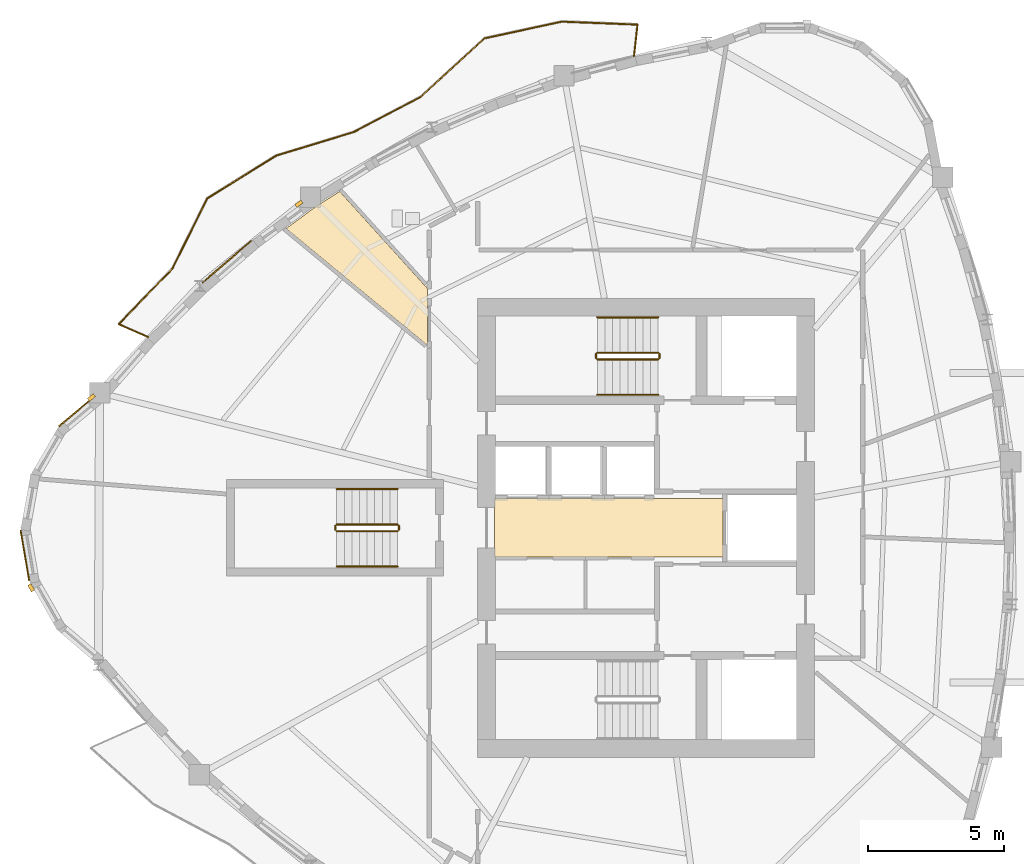
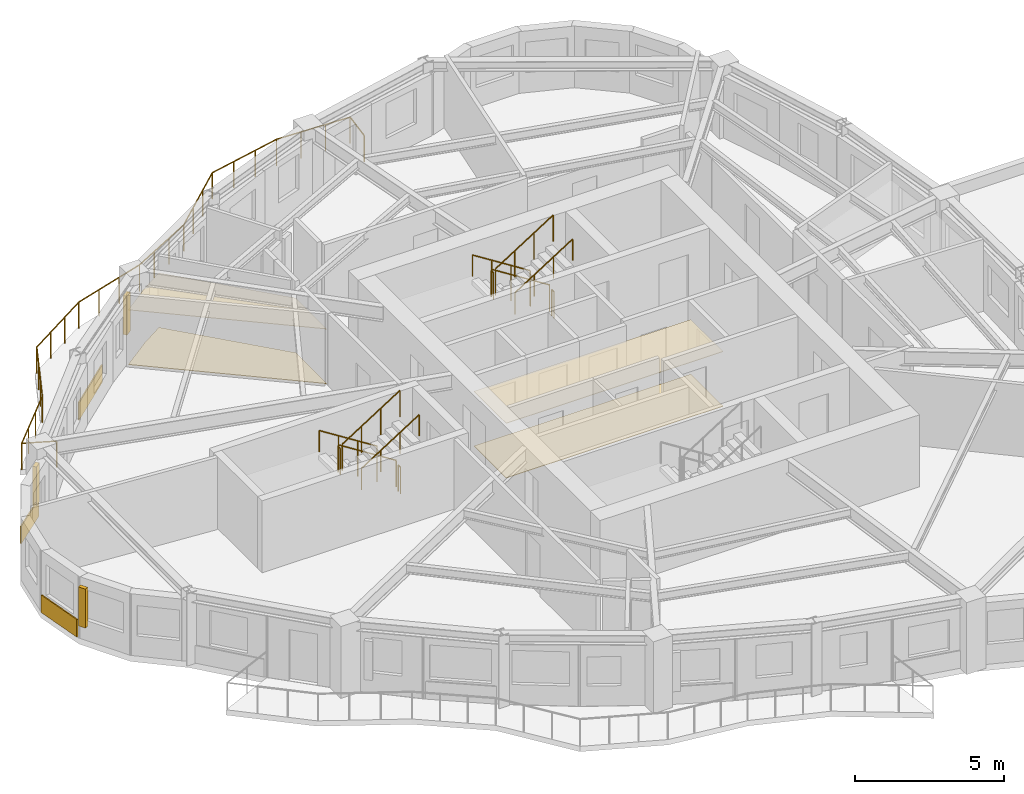
# One storey, part 9 of 11: 13 railings, 7 coverings, 3 shading devices.
"""IFC4 building model written with IfcOpenShell, lengths in metres."""

from ifc_helpers import new_model, si_unit, direction, frame, origin, origin_2d, place, context, subcontext, project, spatial, polyline, rectangle, circle, outline, extrude, source, transform, mapped, material, layer, layer_set, type_object, element, save


model = new_model("IFC4")

# Units and contexts
model_context = context("Model", 3, precision=1e-05, world=origin(), true_north=direction((0.0, 1.0)))
body_context = subcontext(model_context, "Body", "Model", "MODEL_VIEW")
ifc_project = project(units=[si_unit("LENGTHUNIT", "METRE"), si_unit("AREAUNIT", "SQUARE_METRE"), si_unit("VOLUMEUNIT", "CUBIC_METRE"), si_unit("PLANEANGLEUNIT", "RADIAN"), si_unit("MASSUNIT", "GRAM", prefix="KILO")], contexts=[model_context])

# Site, building, storey
site_placement = place(None, origin())
site = spatial("IfcSite", under=ifc_project, at=site_placement, CompositionType="ELEMENT")
building_placement = place(site_placement, origin())
building = spatial("IfcBuilding", under=site, at=building_placement, Name="Qafzar Sky-Pleat Residences", CompositionType="ELEMENT")
storey_placement = place(building_placement, frame((0.0, 0.0, 161.800048828125)))
storey = spatial("IfcBuildingStorey", under=building, at=storey_placement, Name="L48", CompositionType="ELEMENT", Elevation=161.800048828125)

# Coverings
ifc_material_1 = material(Name="Perforated acoustic gypsum board ceiling")
ifc_layer_1 = layer(ifc_material_1, 0.02001953125)
ifc_layer_set_1 = layer_set([ifc_layer_1], Name="Perforated acoustic gypsum board ceiling")
covering_type_1 = type_object("IfcCoveringType", Name="COV-CEIL-ACOUSTIC", PredefinedType="CEILING", material=ifc_layer_set_1)
covering_1_placement = place(storey_placement, frame((0.0, 0.0, 2.239990234375)))
element("IfcCovering", 1, at=covering_1_placement, inside=storey, type_object=covering_type_1, Name="L48 Passenger Lift Lobby Acoustic Ceiling", PredefinedType="CEILING", context=body_context, shape_type="SweptSolid", body=[
    extrude(outline(polyline([(33.179931640625, 24.919921875), (24.77001953125, 24.919921875), (24.77001953125, 27.080078125), (33.179931640625, 27.080078125), (33.179931640625, 24.919921875)])), origin(), (0.0, 0.0, 1.0), 0.02001953125),
])
covering_2_placement = place(storey_placement, frame((0.0, 0.0, 2.239990234375)))
element("IfcCovering", 2, at=covering_2_placement, inside=storey, type_object=covering_type_1, Name="L48 Scholar Study Room Acoustic Ceiling", PredefinedType="CEILING", context=body_context, shape_type="SweptSolid", body=[
    extrude(outline(polyline([(19.0703125, 38.385498046875), (22.31005859375, 34.802490234375), (22.31005859375, 32.716796875), (17.097900390625, 37.020751953125), (18.2138671875, 37.8466796875), (19.0703125, 38.385498046875)])), origin(), (0.0, 0.0, 1.0), 0.02001953125),
])
ifc_material_2 = material(Name="Honed porcelain and Riyadh stone tile flooring", Category="masonry")
ifc_layer_2 = layer(ifc_material_2, 0.02001953125)
ifc_layer_set_2 = layer_set([ifc_layer_2], Name="Honed porcelain and Riyadh stone tile flooring")
covering_type_2 = type_object("IfcCoveringType", Name="COV-FLR-PORCELAIN", PredefinedType="FLOORING", material=ifc_layer_set_2)
covering_3_placement = place(storey_placement, origin())
element("IfcCovering", 3, at=covering_3_placement, inside=storey, type_object=covering_type_2, Name="L48 Passenger Lift Lobby Honed Stone Flooring", PredefinedType="FLOORING", context=body_context, shape_type="SweptSolid", body=[
    extrude(outline(polyline([(33.179931640625, 24.919921875), (24.77001953125, 24.919921875), (24.77001953125, 27.080078125), (33.179931640625, 27.080078125), (33.179931640625, 24.919921875)])), origin(), (0.0, 0.0, 1.0), 0.02001953125),
])
covering_4_placement = place(storey_placement, origin())
element("IfcCovering", 4, at=covering_4_placement, inside=storey, type_object=covering_type_2, Name="L48 Scholar Study Room Honed Stone Flooring", PredefinedType="FLOORING", context=body_context, shape_type="SweptSolid", body=[
    extrude(outline(polyline([(19.0703125, 38.385498046875), (22.31005859375, 34.802490234375), (22.31005859375, 32.716796875), (17.097900390625, 37.020751953125), (18.2138671875, 37.8466796875), (19.0703125, 38.385498046875)])), origin(), (0.0, 0.0, 1.0), 0.02001953125),
])

# Shading devices
ifc_material_3 = material(Name="Honed Riyadh limestone solar fin", Category="masonry")
ifc_layer_3 = layer(ifc_material_3, 0.139892578125)
ifc_layer_set_3 = layer_set([ifc_layer_3], Name="Honed Riyadh limestone solar fin")
shading_device_type = type_object("IfcShadingDeviceType", Name="SHD-FIN-STONE", PredefinedType="SHUTTER", material=ifc_layer_set_3)
shared_shape_1 = source(origin(), body_context, "Body", "SweptSolid", [
    extrude(rectangle(XDim=0.139892578125, YDim=0.280029296875, at=origin_2d()), origin(), (0.0, 0.0, 1.0), 1.60009765625),
])
for number, where, z_axis, x_axis, name in (
    (5, (9.927001953125, 30.79931640625, 0.599853515625), (0.0, 0.0, 1.0), (-0.642173926269, 0.766558966042, 0.0), "L48 Limestone Solar Fin 1"),
    (6, (7.70654296875, 23.7919921875, 0.599853515625), (0.0, 0.0, 1.0), (-0.869636147996, -0.493693194301, 0.0), "L48 Limestone Solar Fin 5"),
    (7, (17.567138671875, 37.93408203125, 0.599853515625), (0.0, 0.0, 1.0), (-0.594863896684, 0.80382643924, 0.0), "L48 Limestone Solar Fin 45"),
):
    element("IfcShadingDevice", number, at=place(storey_placement, frame(where, z_axis=z_axis, x_axis=x_axis)), inside=storey, type_object=shading_device_type, Name=name, PredefinedType="SHUTTER", context=body_context, shape_type="MappedRepresentation", body=[
        mapped(shared_shape_1, transform((0.0, 0.0, 0.0), x_axis=(1.0, 0.0, 0.0), y_axis=(0.0, 1.0, 0.0), z_axis=(0.0, 0.0, 1.0), scale=1.0)),
    ])

# Coverings
ifc_material_4 = material(Name="Honed Riyadh Tuwaiq limestone cladding", Category="masonry")
ifc_layer_4 = layer(ifc_material_4, 0.044921875)
ifc_layer_set_4 = layer_set([ifc_layer_4], Name="Honed Riyadh Tuwaiq limestone cladding")
covering_type_3 = type_object("IfcCoveringType", Name="COV-CLAD-STONE", PredefinedType="CLADDING", material=ifc_layer_set_4)
shared_shape_2 = source(origin(), body_context, "Body", "SweptSolid", [
    extrude(rectangle(XDim=1.873046875, YDim=0.044921875, at=origin_2d()), origin(), (0.0, 0.0, 1.0), 0.719970703125),
])
covering_5_placement = place(storey_placement, frame((7.475341796875, 24.98046875, 0.02001953125), z_axis=(0.0, 0.0, 1.0), x_axis=(0.168083505524, -0.985772760412, 0.0)))
element("IfcCovering", 8, at=covering_5_placement, inside=storey, type_object=covering_type_3, Name="L48 Riyadh Limestone Spandrel Cladding 4", PredefinedType="CLADDING", context=body_context, shape_type="MappedRepresentation", body=[
    mapped(shared_shape_2, transform((0.0, 0.0, 0.0), x_axis=(1.0, 0.0, 0.0), y_axis=(0.0, 1.0, 0.0), z_axis=(0.0, 0.0, 1.0), scale=1.0)),
])
shared_shape_3 = source(origin(), body_context, "Body", "SweptSolid", [
    extrude(rectangle(XDim=1.69921875, YDim=0.044921875, at=origin_2d()), origin(), (0.0, 0.0, 1.0), 0.719970703125),
])
covering_6_placement = place(storey_placement, frame((9.371826171875, 30.2783203125, 0.02001953125), z_axis=(0.0, 0.0, 1.0), x_axis=(-0.766595170589, -0.642130706655, 0.0)))
element("IfcCovering", 9, at=covering_6_placement, inside=storey, type_object=covering_type_3, Name="L48 Riyadh Limestone Spandrel Cladding 1", PredefinedType="CLADDING", context=body_context, shape_type="MappedRepresentation", body=[
    mapped(shared_shape_3, transform((0.0, 0.0, 0.0), x_axis=(1.0, 0.0, 0.0), y_axis=(0.0, 1.0, 0.0), z_axis=(0.0, 0.0, 1.0), scale=1.0)),
])

# Railing
ifc_material_5 = material(Name="Laminated glass and bronze steel balustrade", Category="steel")
railing_type_1 = type_object("IfcRailingType", Name="RAIL-BAL-1100", PredefinedType="BALUSTRADE", material=ifc_material_5)
shared_shape_4 = source(origin(), body_context, "Body", "SweptSolid", [
    extrude(circle(Radius=0.02392578125, at=origin_2d()), frame((0.0, 0.0, 1.076171875), z_axis=(0.10940804142, 0.993996921762, 0.0), x_axis=(-0.993996921762, 0.10940804142, 0.0)), (0.0, 0.0, 1.0), 1.17822265625),
    extrude(circle(Radius=0.02392578125, at=origin_2d()), frame((0.12890625, 1.171142578125, 1.076171875), z_axis=(-0.999232085021, 0.039182142152, 0.0), x_axis=(-0.039182142152, -0.999232085021, 0.0)), (0.0, 0.0, 1.0), 2.79150390625),
    extrude(circle(Radius=0.02392578125, at=origin_2d()), frame((-2.660400390625, 1.280517578125, 1.076171875), z_axis=(-0.977426795967, -0.211274367884, 0.0), x_axis=(0.211274367884, -0.977426795967, 0.0)), (0.0, 0.0, 1.0), 2.9130859375),
    extrude(circle(Radius=0.02392578125, at=origin_2d()), frame((-5.5078125, 0.6650390625, 1.076171875), z_axis=(-0.736681363217, -0.676240023283, 0.0), x_axis=(0.676240023283, -0.736681363217, 0.0)), (0.0, 0.0, 1.0), 3.195068359375),
    extrude(circle(Radius=0.02392578125, at=origin_2d()), frame((-7.861572265625, -1.49560546875, 1.076171875), z_axis=(-0.88583325501, -0.464003711536, 0.0), x_axis=(0.464003711536, -0.88583325501, 0.0)), (0.0, 0.0, 1.0), 2.778564453125),
    extrude(circle(Radius=0.02392578125, at=origin_2d()), frame((-10.322998046875, -2.784912109375, 1.076171875), z_axis=(-0.956665955369, -0.291187653994, 0.0), x_axis=(0.291187653994, -0.956665955369, 0.0)), (0.0, 0.0, 1.0), 2.98486328125),
    extrude(circle(Radius=0.02392578125, at=origin_2d()), frame((-13.178466796875, -3.654052734375, 1.076171875), z_axis=(-0.849691907904, -0.527279491013, 0.0), x_axis=(0.527279491013, -0.849691907904, 0.0)), (0.0, 0.0, 1.0), 2.98876953125),
    extrude(circle(Radius=0.02392578125, at=origin_2d()), frame((-15.718017578125, -5.22998046875, 1.076171875), z_axis=(-0.443860567831, -0.896095863357, 0.0), x_axis=(0.896095863357, -0.443860567831, 0.0)), (0.0, 0.0, 1.0), 2.885986328125),
    extrude(circle(Radius=0.02392578125, at=origin_2d()), frame((-16.9990234375, -7.816162109375, 1.076171875), z_axis=(-0.695369906362, -0.718651997371, 0.0), x_axis=(0.718651997371, -0.695369906362, 0.0)), (0.0, 0.0, 1.0), 2.841796875),
    extrude(circle(Radius=0.02392578125, at=origin_2d()), frame((-18.97509765625, -9.8583984375, 1.076171875), z_axis=(0.915461631007, -0.402405271031, 0.0), x_axis=(0.402405271031, 0.915461631007, 0.0)), (0.0, 0.0, 1.0), 1.17822265625),
    extrude(circle(Radius=0.02099609375, at=origin_2d()), origin(), (0.0, 0.0, 1.0), 1.052001953125),
    extrude(circle(Radius=0.02099609375, at=origin_2d()), frame((0.12890625, 1.171142578125, 0.0)), (0.0, 0.0, 1.0), 1.052001953125),
    extrude(circle(Radius=0.02099609375, at=origin_2d()), frame((-0.80078125, 1.20751953125, 0.0)), (0.0, 0.0, 1.0), 1.052001953125),
    extrude(circle(Radius=0.02099609375, at=origin_2d()), frame((-1.730712890625, 1.244140625, 0.0)), (0.0, 0.0, 1.0), 1.052001953125),
    extrude(circle(Radius=0.02099609375, at=origin_2d()), frame((-2.660400390625, 1.280517578125, 0.0)), (0.0, 0.0, 1.0), 1.052001953125),
    extrude(circle(Radius=0.02099609375, at=origin_2d()), frame((-3.609619140625, 1.075439453125, 0.0)), (0.0, 0.0, 1.0), 1.052001953125),
    extrude(circle(Radius=0.02099609375, at=origin_2d()), frame((-4.55859375, 0.8701171875, 0.0)), (0.0, 0.0, 1.0), 1.052001953125),
    extrude(circle(Radius=0.02099609375, at=origin_2d()), frame((-5.5078125, 0.6650390625, 0.0)), (0.0, 0.0, 1.0), 1.052001953125),
    extrude(circle(Radius=0.02099609375, at=origin_2d()), frame((-6.29248046875, -0.05517578125, 0.0)), (0.0, 0.0, 1.0), 1.052001953125),
    extrude(circle(Radius=0.02099609375, at=origin_2d()), frame((-7.076904296875, -0.775390625, 0.0)), (0.0, 0.0, 1.0), 1.052001953125),
    extrude(circle(Radius=0.02099609375, at=origin_2d()), frame((-7.861572265625, -1.49560546875, 0.0)), (0.0, 0.0, 1.0), 1.052001953125),
    extrude(circle(Radius=0.02099609375, at=origin_2d()), frame((-8.68212890625, -1.92529296875, 0.0)), (0.0, 0.0, 1.0), 1.052001953125),
    extrude(circle(Radius=0.02099609375, at=origin_2d()), frame((-9.50244140625, -2.355224609375, 0.0)), (0.0, 0.0, 1.0), 1.052001953125),
    extrude(circle(Radius=0.02099609375, at=origin_2d()), frame((-10.322998046875, -2.784912109375, 0.0)), (0.0, 0.0, 1.0), 1.052001953125),
    extrude(circle(Radius=0.02099609375, at=origin_2d()), frame((-11.27490234375, -3.07470703125, 0.0)), (0.0, 0.0, 1.0), 1.052001953125),
    extrude(circle(Radius=0.02099609375, at=origin_2d()), frame((-12.2265625, -3.3642578125, 0.0)), (0.0, 0.0, 1.0), 1.052001953125),
    extrude(circle(Radius=0.02099609375, at=origin_2d()), frame((-13.178466796875, -3.654052734375, 0.0)), (0.0, 0.0, 1.0), 1.052001953125),
    extrude(circle(Radius=0.02099609375, at=origin_2d()), frame((-14.02490234375, -4.179443359375, 0.0)), (0.0, 0.0, 1.0), 1.052001953125),
    extrude(circle(Radius=0.02099609375, at=origin_2d()), frame((-14.87158203125, -4.70458984375, 0.0)), (0.0, 0.0, 1.0), 1.052001953125),
    extrude(circle(Radius=0.02099609375, at=origin_2d()), frame((-15.718017578125, -5.22998046875, 0.0)), (0.0, 0.0, 1.0), 1.052001953125),
    extrude(circle(Radius=0.02099609375, at=origin_2d()), frame((-16.14501953125, -6.092041015625, 0.0)), (0.0, 0.0, 1.0), 1.052001953125),
    extrude(circle(Radius=0.02099609375, at=origin_2d()), frame((-16.572021484375, -6.9541015625, 0.0)), (0.0, 0.0, 1.0), 1.052001953125),
    extrude(circle(Radius=0.02099609375, at=origin_2d()), frame((-16.9990234375, -7.816162109375, 0.0)), (0.0, 0.0, 1.0), 1.052001953125),
    extrude(circle(Radius=0.02099609375, at=origin_2d()), frame((-17.65771484375, -8.496826171875, 0.0)), (0.0, 0.0, 1.0), 1.052001953125),
    extrude(circle(Radius=0.02099609375, at=origin_2d()), frame((-18.31640625, -9.177734375, 0.0)), (0.0, 0.0, 1.0), 1.052001953125),
    extrude(circle(Radius=0.02099609375, at=origin_2d()), frame((-18.97509765625, -9.8583984375, 0.0)), (0.0, 0.0, 1.0), 1.052001953125),
    extrude(circle(Radius=0.02099609375, at=origin_2d()), frame((-17.896484375, -10.33251953125, 0.0)), (0.0, 0.0, 1.0), 1.052001953125),
])
railing_placement = place(storey_placement, frame((29.908203125, 43.35986328125, 0.0)))
element("IfcRailing", 10, at=railing_placement, inside=storey, type_object=railing_type_1, Name="L48 Pleated Balcony 1 Balustrade", PredefinedType="BALUSTRADE", context=body_context, shape_type="MappedRepresentation", body=[
    mapped(shared_shape_4, transform((0.0, 0.0, 0.0), x_axis=(1.0, 0.0, 0.0), y_axis=(0.0, 1.0, 0.0), z_axis=(0.0, 0.0, 1.0), scale=1.0)),
])

# Covering
shared_shape_5 = source(origin(), body_context, "Body", "SweptSolid", [
    extrude(rectangle(XDim=2.381103515625, YDim=0.044921875, at=origin_2d()), origin(), (0.0, 0.0, 1.0), 0.719970703125),
])
covering_7_placement = place(storey_placement, frame((14.91748046875, 35.801025390625, 0.02001953125), z_axis=(0.0, 0.0, 1.0), x_axis=(-0.757482150574, -0.652855873498, 0.0)))
element("IfcCovering", 11, at=covering_7_placement, inside=storey, type_object=covering_type_3, Name="L48 Riyadh Limestone Spandrel Cladding 46", PredefinedType="CLADDING", context=body_context, shape_type="MappedRepresentation", body=[
    mapped(shared_shape_5, transform((0.0, 0.0, 0.0), x_axis=(1.0, 0.0, 0.0), y_axis=(0.0, 1.0, 0.0), z_axis=(0.0, 0.0, 1.0), scale=1.0)),
])

# Railings
ifc_material_6 = material(Name="Painted Steel S355 stair guardrail", Category="steel")
railing_type_2 = type_object("IfcRailingType", Name="RAIL-STAIR-GUARD", PredefinedType="GUARDRAIL", material=ifc_material_6)
shared_shape_6 = source(origin(), body_context, "Body", "SweptSolid", [
    extrude(circle(Radius=0.02392578125, at=origin_2d()), frame((0.0, 0.0, 1.076171875), z_axis=(0.0, -1.0, 0.0), x_axis=(1.0, 0.0, 0.0)), (0.0, 0.0, 1.0), 0.14990234375),
    extrude(circle(Radius=0.02099609375, at=origin_2d()), origin(), (0.0, 0.0, 1.0), 1.052001953125),
    extrude(circle(Radius=0.02099609375, at=origin_2d()), frame((0.0, -0.14990234375, 0.0)), (0.0, 0.0, 1.0), 1.052001953125),
])
for number, where, name in (
    (12, (28.510009765625, 32.39990234375, 1.599853515625), "L48 ST2 stair guard 2"),
    (13, (30.85009765625, 32.39990234375, 0.0), "L48 ST2 stair guard 4"),
    (14, (18.909912109375, 26.074951171875, 1.599853515625), "L48 ST3 stair guard 2"),
    (15, (21.25, 26.074951171875, 0.0), "L48 ST3 stair guard 4"),
):
    element("IfcRailing", number, at=place(storey_placement, frame(where)), inside=storey, type_object=railing_type_2, Name=name, PredefinedType="GUARDRAIL", context=body_context, shape_type="MappedRepresentation", body=[
        mapped(shared_shape_6, transform((0.0, 0.0, 0.0), x_axis=(1.0, 0.0, 0.0), y_axis=(0.0, 1.0, 0.0), z_axis=(0.0, 0.0, 1.0), scale=1.0)),
    ])
shared_shape_7 = source(origin(), body_context, "Body", "SweptSolid", [
    extrude(circle(Radius=0.02392578125, at=origin_2d()), frame((0.0, 0.0, 1.076171875), z_axis=(-0.8442293374, 0.0, 0.53598211339), x_axis=(0.0, -1.0, 0.0)), (0.0, 0.0, 1.0), 2.6533203125),
    extrude(circle(Radius=0.02099609375, at=origin_2d()), origin(), (0.0, 0.0, 1.0), 1.052001953125),
    extrude(circle(Radius=0.02099609375, at=origin_2d()), frame((-0.74658203125, 0.0, 0.47412109375)), (0.0, 0.0, 1.0), 1.052001953125),
    extrude(circle(Radius=0.02099609375, at=origin_2d()), frame((-1.493408203125, 0.0, 0.947998046875)), (0.0, 0.0, 1.0), 1.052001953125),
    extrude(circle(Radius=0.02099609375, at=origin_2d()), frame((-2.239990234375, 0.0, 1.422119140625)), (0.0, 0.0, 1.0), 1.052001953125),
])
for number, where, name in (
    (16, (30.800048828125, 32.449951171875, 0.177734375), "L48 ST2 stair guard 1"),
    (17, (21.199951171875, 26.125, 0.177734375), "L48 ST3 stair guard 1"),
):
    element("IfcRailing", number, at=place(storey_placement, frame(where)), inside=storey, type_object=railing_type_2, Name=name, PredefinedType="GUARDRAIL", context=body_context, shape_type="MappedRepresentation", body=[
        mapped(shared_shape_7, transform((0.0, 0.0, 0.0), x_axis=(1.0, 0.0, 0.0), y_axis=(0.0, 1.0, 0.0), z_axis=(0.0, 0.0, 1.0), scale=1.0)),
    ])
shared_shape_8 = source(origin(), body_context, "Body", "SweptSolid", [
    extrude(circle(Radius=0.02392578125, at=origin_2d()), frame((0.0, 0.0, 1.076171875), z_axis=(0.8442293374, 0.0, 0.53598211339), x_axis=(0.0, 1.0, 0.0)), (0.0, 0.0, 1.0), 2.6533203125),
    extrude(circle(Radius=0.02099609375, at=origin_2d()), origin(), (0.0, 0.0, 1.0), 1.052001953125),
    extrude(circle(Radius=0.02099609375, at=origin_2d()), frame((0.74658203125, 0.0, 0.47412109375)), (0.0, 0.0, 1.0), 1.052001953125),
    extrude(circle(Radius=0.02099609375, at=origin_2d()), frame((1.493408203125, 0.0, 0.947998046875)), (0.0, 0.0, 1.0), 1.052001953125),
    extrude(circle(Radius=0.02099609375, at=origin_2d()), frame((2.239990234375, 0.0, 1.422119140625)), (0.0, 0.0, 1.0), 1.052001953125),
])
for number, where, name in (
    (18, (28.56005859375, 32.199951171875, 1.77783203125), "L48 ST2 stair guard 3"),
    (19, (18.9599609375, 25.875, 1.77783203125), "L48 ST3 stair guard 3"),
):
    element("IfcRailing", number, at=place(storey_placement, frame(where)), inside=storey, type_object=railing_type_2, Name=name, PredefinedType="GUARDRAIL", context=body_context, shape_type="MappedRepresentation", body=[
        mapped(shared_shape_8, transform((0.0, 0.0, 0.0), x_axis=(1.0, 0.0, 0.0), y_axis=(0.0, 1.0, 0.0), z_axis=(0.0, 0.0, 1.0), scale=1.0)),
    ])
ifc_material_7 = material(Name="Brushed stainless steel handrail", Category="steel")
railing_type_3 = type_object("IfcRailingType", Name="RAIL-STAIR-HAND", PredefinedType="HANDRAIL", material=ifc_material_7)
shared_shape_9 = source(origin(), body_context, "Body", "SweptSolid", [
    extrude(circle(Radius=0.02392578125, at=origin_2d()), frame((0.0, 0.0, 0.8759765625), z_axis=(-0.8442293374, 0.0, 0.53598211339), x_axis=(0.0, -1.0, 0.0)), (0.0, 0.0, 1.0), 2.6533203125),
    extrude(circle(Radius=0.02099609375, at=origin_2d()), origin(), (0.0, 0.0, 1.0), 0.851806640625),
    extrude(circle(Radius=0.02099609375, at=origin_2d()), frame((-0.74658203125, 0.0, 0.47412109375)), (0.0, 0.0, 1.0), 0.851806640625),
    extrude(circle(Radius=0.02099609375, at=origin_2d()), frame((-1.493408203125, 0.0, 0.947998046875)), (0.0, 0.0, 1.0), 0.851806640625),
    extrude(circle(Radius=0.02099609375, at=origin_2d()), frame((-2.239990234375, 0.0, 1.422119140625)), (0.0, 0.0, 1.0), 0.851806640625),
])
for number, where, name in (
    (20, (30.800048828125, 33.75, 0.177734375), "L48 ST2 stair handrail 1"),
    (21, (21.199951171875, 27.425048828125, 0.177734375), "L48 ST3 stair handrail 1"),
):
    element("IfcRailing", number, at=place(storey_placement, frame(where)), inside=storey, type_object=railing_type_3, Name=name, PredefinedType="HANDRAIL", context=body_context, shape_type="MappedRepresentation", body=[
        mapped(shared_shape_9, transform((0.0, 0.0, 0.0), x_axis=(1.0, 0.0, 0.0), y_axis=(0.0, 1.0, 0.0), z_axis=(0.0, 0.0, 1.0), scale=1.0)),
    ])
shared_shape_10 = source(origin(), body_context, "Body", "SweptSolid", [
    extrude(circle(Radius=0.02392578125, at=origin_2d()), frame((0.0, 0.0, 0.8759765625), z_axis=(0.8442293374, 0.0, 0.53598211339), x_axis=(0.0, 1.0, 0.0)), (0.0, 0.0, 1.0), 2.6533203125),
    extrude(circle(Radius=0.02099609375, at=origin_2d()), origin(), (0.0, 0.0, 1.0), 0.851806640625),
    extrude(circle(Radius=0.02099609375, at=origin_2d()), frame((0.74658203125, 0.0, 0.47412109375)), (0.0, 0.0, 1.0), 0.851806640625),
    extrude(circle(Radius=0.02099609375, at=origin_2d()), frame((1.493408203125, 0.0, 0.947998046875)), (0.0, 0.0, 1.0), 0.851806640625),
    extrude(circle(Radius=0.02099609375, at=origin_2d()), frame((2.239990234375, 0.0, 1.422119140625)), (0.0, 0.0, 1.0), 0.851806640625),
])
for number, where, name in (
    (22, (28.56005859375, 30.89990234375, 1.77783203125), "L48 ST2 stair handrail 2"),
    (23, (18.9599609375, 24.574951171875, 1.77783203125), "L48 ST3 stair handrail 2"),
):
    element("IfcRailing", number, at=place(storey_placement, frame(where)), inside=storey, type_object=railing_type_3, Name=name, PredefinedType="HANDRAIL", context=body_context, shape_type="MappedRepresentation", body=[
        mapped(shared_shape_10, transform((0.0, 0.0, 0.0), x_axis=(1.0, 0.0, 0.0), y_axis=(0.0, 1.0, 0.0), z_axis=(0.0, 0.0, 1.0), scale=1.0)),
    ])

save(model, "model.ifc")
